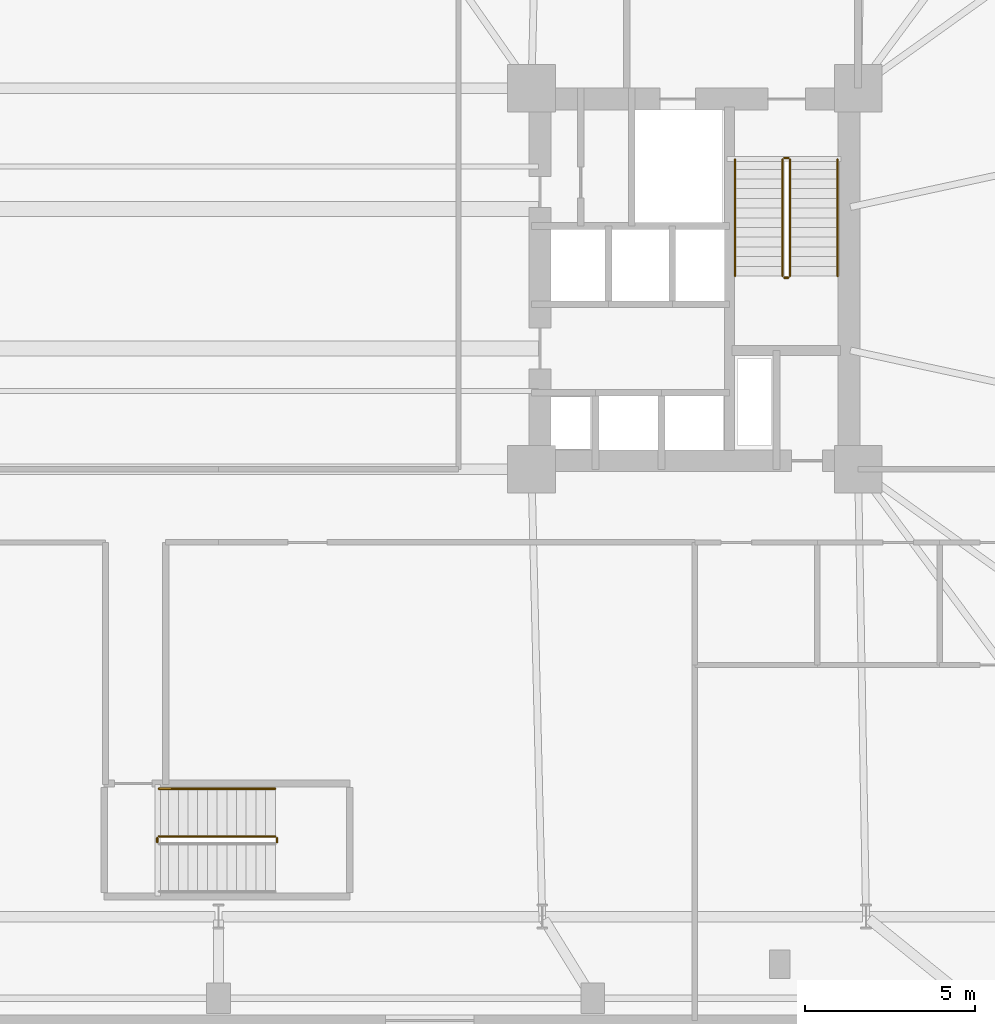
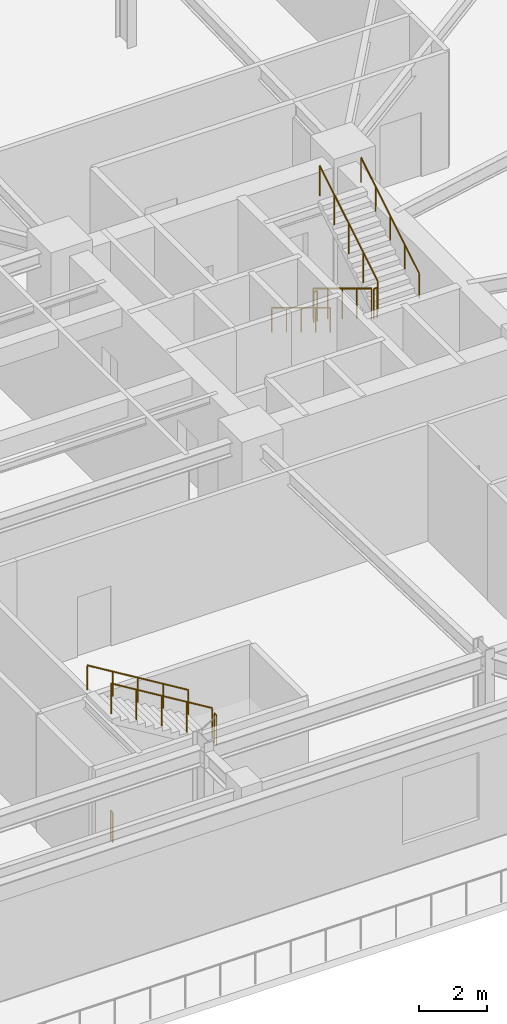
# One storey, part 20 of 21: 10 railings.
"""IFC4 building model written with IfcOpenShell, lengths in metres."""

from ifc_helpers import new_model, si_unit, direction, frame, origin, origin_2d, place, context, subcontext, project, spatial, circle, extrude, material, type_object, element, save


model = new_model("IFC4")

# Units and contexts
model_context = context("Model", 3, precision=1e-05, world=origin(), true_north=direction((0.0, 1.0)))
body_context = subcontext(model_context, "Body", "Model", "MODEL_VIEW")
ifc_project = project(units=[si_unit("LENGTHUNIT", "METRE"), si_unit("AREAUNIT", "SQUARE_METRE"), si_unit("VOLUMEUNIT", "CUBIC_METRE"), si_unit("PLANEANGLEUNIT", "RADIAN"), si_unit("MASSUNIT", "GRAM", prefix="KILO")], contexts=[model_context])

# Site, building, storey
site_placement = place(None, origin())
site = spatial("IfcSite", under=ifc_project, at=site_placement, CompositionType="ELEMENT")
building_placement = place(site_placement, origin())
building = spatial("IfcBuilding", under=site, at=building_placement, Name="Qobustan Lattice House", CompositionType="ELEMENT")
storey_placement = place(building_placement, frame((0.0, 0.0, 13.5)))
storey = spatial("IfcBuildingStorey", under=building, at=storey_placement, Name="L03", CompositionType="ELEMENT", Elevation=13.5)

# Railings
ifc_material_1 = material(Name="Brushed stainless steel handrail", Category="steel")
railing_type_1 = type_object("IfcRailingType", Name="RAL-HR-920", PredefinedType="HANDRAIL", material=ifc_material_1)
railing_1_placement = place(storey_placement, frame((15.179931640625, 3.5, 0.173095703125)))
element("IfcRailing", 1, at=railing_1_placement, inside=storey, type_object=railing_type_1, Name="L03 ST-E1 stair handrail 1", PredefinedType="HANDRAIL", context=body_context, shape_type="SweptSolid", body=[
    extrude(circle(Radius=0.02392578125, at=origin_2d()), frame((0.0, 0.0, 0.8759765625), z_axis=(0.0, -0.854729506542, 0.519073665916), x_axis=(1.0, 0.0, 0.0)), (0.0, 0.0, 1.0), 4.001220703125),
    extrude(circle(Radius=0.02099609375, at=origin_2d()), origin(), (0.0, 0.0, 1.0), 0.851806640625),
    extrude(circle(Radius=0.02099609375, at=origin_2d()), frame((0.0, -0.85498046875, 0.519287109375)), (0.0, 0.0, 1.0), 0.851806640625),
    extrude(circle(Radius=0.02099609375, at=origin_2d()), frame((0.0, -1.7099609375, 1.03857421875)), (0.0, 0.0, 1.0), 0.851806640625),
    extrude(circle(Radius=0.02099609375, at=origin_2d()), frame((0.0, -2.56494140625, 1.5576171875)), (0.0, 0.0, 1.0), 0.851806640625),
    extrude(circle(Radius=0.02099609375, at=origin_2d()), frame((0.0, -3.419921875, 2.076904296875)), (0.0, 0.0, 1.0), 0.851806640625),
])
railing_2_placement = place(storey_placement, frame((18.199951171875, 0.080078125, 2.423095703125)))
element("IfcRailing", 2, at=railing_2_placement, inside=storey, type_object=railing_type_1, Name="L03 ST-E1 stair handrail 2", PredefinedType="HANDRAIL", context=body_context, shape_type="SweptSolid", body=[
    extrude(circle(Radius=0.02392578125, at=origin_2d()), frame((0.0, 0.0, 0.8759765625), z_axis=(0.0, 0.854729506542, 0.519073665916), x_axis=(-1.0, 0.0, 0.0)), (0.0, 0.0, 1.0), 4.001220703125),
    extrude(circle(Radius=0.02099609375, at=origin_2d()), origin(), (0.0, 0.0, 1.0), 0.851806640625),
    extrude(circle(Radius=0.02099609375, at=origin_2d()), frame((0.0, 0.85498046875, 0.519287109375)), (0.0, 0.0, 1.0), 0.851806640625),
    extrude(circle(Radius=0.02099609375, at=origin_2d()), frame((0.0, 1.7099609375, 1.03857421875)), (0.0, 0.0, 1.0), 0.851806640625),
    extrude(circle(Radius=0.02099609375, at=origin_2d()), frame((0.0, 2.56494140625, 1.5576171875)), (0.0, 0.0, 1.0), 0.851806640625),
    extrude(circle(Radius=0.02099609375, at=origin_2d()), frame((0.0, 3.419921875, 2.076904296875)), (0.0, 0.0, 1.0), 0.851806640625),
])
railing_3_placement = place(storey_placement, frame((1.669921875, -14.989990234375, 2.423095703125)))
element("IfcRailing", 3, at=railing_3_placement, inside=storey, type_object=railing_type_1, Name="L03 ST-P1 stair handrail 2", PredefinedType="HANDRAIL", context=body_context, shape_type="SweptSolid", body=[
    extrude(circle(Radius=0.02392578125, at=origin_2d()), frame((0.0, 0.0, 0.8759765625), z_axis=(-0.854729506542, 0.0, 0.519073665916), x_axis=(0.0, -1.0, 0.0)), (0.0, 0.0, 1.0), 4.001220703125),
    extrude(circle(Radius=0.02099609375, at=origin_2d()), origin(), (0.0, 0.0, 1.0), 0.851806640625),
    extrude(circle(Radius=0.02099609375, at=origin_2d()), frame((-0.85498046875, 0.0, 0.519287109375)), (0.0, 0.0, 1.0), 0.851806640625),
    extrude(circle(Radius=0.02099609375, at=origin_2d()), frame((-1.7099609375, 0.0, 1.03857421875)), (0.0, 0.0, 1.0), 0.851806640625),
    extrude(circle(Radius=0.02099609375, at=origin_2d()), frame((-2.56494140625, 0.0, 1.5576171875)), (0.0, 0.0, 1.0), 0.851806640625),
    extrude(circle(Radius=0.02099609375, at=origin_2d()), frame((-3.419921875, 0.0, 2.076904296875)), (0.0, 0.0, 1.0), 0.851806640625),
])
ifc_material_2 = material(Name="Painted galvanized steel guardrail", Category="steel")
railing_type_2 = type_object("IfcRailingType", Name="RAL-STG-1150", PredefinedType="GUARDRAIL", material=ifc_material_2)
railing_4_placement = place(storey_placement, frame((16.580078125, 3.5, 0.173095703125)))
element("IfcRailing", 4, at=railing_4_placement, inside=storey, type_object=railing_type_2, Name="L03 ST-E1 stair guard 1", PredefinedType="GUARDRAIL", context=body_context, shape_type="SweptSolid", body=[
    extrude(circle(Radius=0.02392578125, at=origin_2d()), frame((0.0, 0.0, 1.076171875), z_axis=(0.0, -0.854729506542, 0.519073665916), x_axis=(1.0, 0.0, 0.0)), (0.0, 0.0, 1.0), 4.001220703125),
    extrude(circle(Radius=0.02099609375, at=origin_2d()), origin(), (0.0, 0.0, 1.0), 1.052001953125),
    extrude(circle(Radius=0.02099609375, at=origin_2d()), frame((0.0, -0.85498046875, 0.519287109375)), (0.0, 0.0, 1.0), 1.052001953125),
    extrude(circle(Radius=0.02099609375, at=origin_2d()), frame((0.0, -1.7099609375, 1.03857421875)), (0.0, 0.0, 1.0), 1.052001953125),
    extrude(circle(Radius=0.02099609375, at=origin_2d()), frame((0.0, -2.56494140625, 1.5576171875)), (0.0, 0.0, 1.0), 1.052001953125),
    extrude(circle(Radius=0.02099609375, at=origin_2d()), frame((0.0, -3.419921875, 2.076904296875)), (0.0, 0.0, 1.0), 1.052001953125),
])
railing_5_placement = place(storey_placement, frame((16.6298828125, 0.030029296875, 2.25)))
element("IfcRailing", 5, at=railing_5_placement, inside=storey, type_object=railing_type_2, Name="L03 ST-E1 stair guard 2", PredefinedType="GUARDRAIL", context=body_context, shape_type="SweptSolid", body=[
    extrude(circle(Radius=0.02392578125, at=origin_2d()), frame((0.0, 0.0, 1.076171875), z_axis=(1.0, 0.0, 0.0), x_axis=(0.0, 1.0, 0.0)), (0.0, 0.0, 1.0), 0.1201171875),
    extrude(circle(Radius=0.02099609375, at=origin_2d()), origin(), (0.0, 0.0, 1.0), 1.052001953125),
    extrude(circle(Radius=0.02099609375, at=origin_2d()), frame((0.1201171875, 0.0, 0.0)), (0.0, 0.0, 1.0), 1.052001953125),
])
railing_6_placement = place(storey_placement, frame((16.800048828125, 0.080078125, 2.423095703125)))
element("IfcRailing", 6, at=railing_6_placement, inside=storey, type_object=railing_type_2, Name="L03 ST-E1 stair guard 3", PredefinedType="GUARDRAIL", context=body_context, shape_type="SweptSolid", body=[
    extrude(circle(Radius=0.02392578125, at=origin_2d()), frame((0.0, 0.0, 1.076171875), z_axis=(0.0, 0.854729506542, 0.519073665916), x_axis=(-1.0, 0.0, 0.0)), (0.0, 0.0, 1.0), 4.001220703125),
    extrude(circle(Radius=0.02099609375, at=origin_2d()), origin(), (0.0, 0.0, 1.0), 1.052001953125),
    extrude(circle(Radius=0.02099609375, at=origin_2d()), frame((0.0, 0.85498046875, 0.519287109375)), (0.0, 0.0, 1.0), 1.052001953125),
    extrude(circle(Radius=0.02099609375, at=origin_2d()), frame((0.0, 1.7099609375, 1.03857421875)), (0.0, 0.0, 1.0), 1.052001953125),
    extrude(circle(Radius=0.02099609375, at=origin_2d()), frame((0.0, 2.56494140625, 1.5576171875)), (0.0, 0.0, 1.0), 1.052001953125),
    extrude(circle(Radius=0.02099609375, at=origin_2d()), frame((0.0, 3.419921875, 2.076904296875)), (0.0, 0.0, 1.0), 1.052001953125),
])
railing_7_placement = place(storey_placement, frame((16.6298828125, 3.550048828125, 0.0)))
element("IfcRailing", 7, at=railing_7_placement, inside=storey, type_object=railing_type_2, Name="L03 ST-E1 stair guard 4", PredefinedType="GUARDRAIL", context=body_context, shape_type="SweptSolid", body=[
    extrude(circle(Radius=0.02392578125, at=origin_2d()), frame((0.0, 0.0, 1.076171875), z_axis=(1.0, 0.0, 0.0), x_axis=(0.0, 1.0, 0.0)), (0.0, 0.0, 1.0), 0.1201171875),
    extrude(circle(Radius=0.02099609375, at=origin_2d()), origin(), (0.0, 0.0, 1.0), 1.052001953125),
    extrude(circle(Radius=0.02099609375, at=origin_2d()), frame((0.1201171875, 0.0, 0.0)), (0.0, 0.0, 1.0), 1.052001953125),
])
railing_8_placement = place(storey_placement, frame((1.719970703125, -16.56005859375, 2.25)))
element("IfcRailing", 8, at=railing_8_placement, inside=storey, type_object=railing_type_2, Name="L03 ST-P1 stair guard 2", PredefinedType="GUARDRAIL", context=body_context, shape_type="SweptSolid", body=[
    extrude(circle(Radius=0.02392578125, at=origin_2d()), frame((0.0, 0.0, 1.076171875), z_axis=(0.0, 1.0, 0.0), x_axis=(-1.0, 0.0, 0.0)), (0.0, 0.0, 1.0), 0.1201171875),
    extrude(circle(Radius=0.02099609375, at=origin_2d()), origin(), (0.0, 0.0, 1.0), 1.052001953125),
    extrude(circle(Radius=0.02099609375, at=origin_2d()), frame((0.0, 0.1201171875, 0.0)), (0.0, 0.0, 1.0), 1.052001953125),
])
railing_9_placement = place(storey_placement, frame((1.669921875, -16.389892578125, 2.423095703125)))
element("IfcRailing", 9, at=railing_9_placement, inside=storey, type_object=railing_type_2, Name="L03 ST-P1 stair guard 3", PredefinedType="GUARDRAIL", context=body_context, shape_type="SweptSolid", body=[
    extrude(circle(Radius=0.02392578125, at=origin_2d()), frame((0.0, 0.0, 1.076171875), z_axis=(-0.854729506542, 0.0, 0.519073665916), x_axis=(0.0, -1.0, 0.0)), (0.0, 0.0, 1.0), 4.001220703125),
    extrude(circle(Radius=0.02099609375, at=origin_2d()), origin(), (0.0, 0.0, 1.0), 1.052001953125),
    extrude(circle(Radius=0.02099609375, at=origin_2d()), frame((-0.85498046875, 0.0, 0.519287109375)), (0.0, 0.0, 1.0), 1.052001953125),
    extrude(circle(Radius=0.02099609375, at=origin_2d()), frame((-1.7099609375, 0.0, 1.03857421875)), (0.0, 0.0, 1.0), 1.052001953125),
    extrude(circle(Radius=0.02099609375, at=origin_2d()), frame((-2.56494140625, 0.0, 1.5576171875)), (0.0, 0.0, 1.0), 1.052001953125),
    extrude(circle(Radius=0.02099609375, at=origin_2d()), frame((-3.419921875, 0.0, 2.076904296875)), (0.0, 0.0, 1.0), 1.052001953125),
])
railing_10_placement = place(storey_placement, frame((-1.800048828125, -16.56005859375, 0.0)))
element("IfcRailing", 10, at=railing_10_placement, inside=storey, type_object=railing_type_2, Name="L03 ST-P1 stair guard 4", PredefinedType="GUARDRAIL", context=body_context, shape_type="SweptSolid", body=[
    extrude(circle(Radius=0.02392578125, at=origin_2d()), frame((0.0, 0.0, 1.076171875), z_axis=(0.0, 1.0, 0.0), x_axis=(-1.0, 0.0, 0.0)), (0.0, 0.0, 1.0), 0.1201171875),
    extrude(circle(Radius=0.02099609375, at=origin_2d()), origin(), (0.0, 0.0, 1.0), 1.052001953125),
    extrude(circle(Radius=0.02099609375, at=origin_2d()), frame((0.0, 0.1201171875, 0.0)), (0.0, 0.0, 1.0), 1.052001953125),
])

save(model, "model.ifc")
